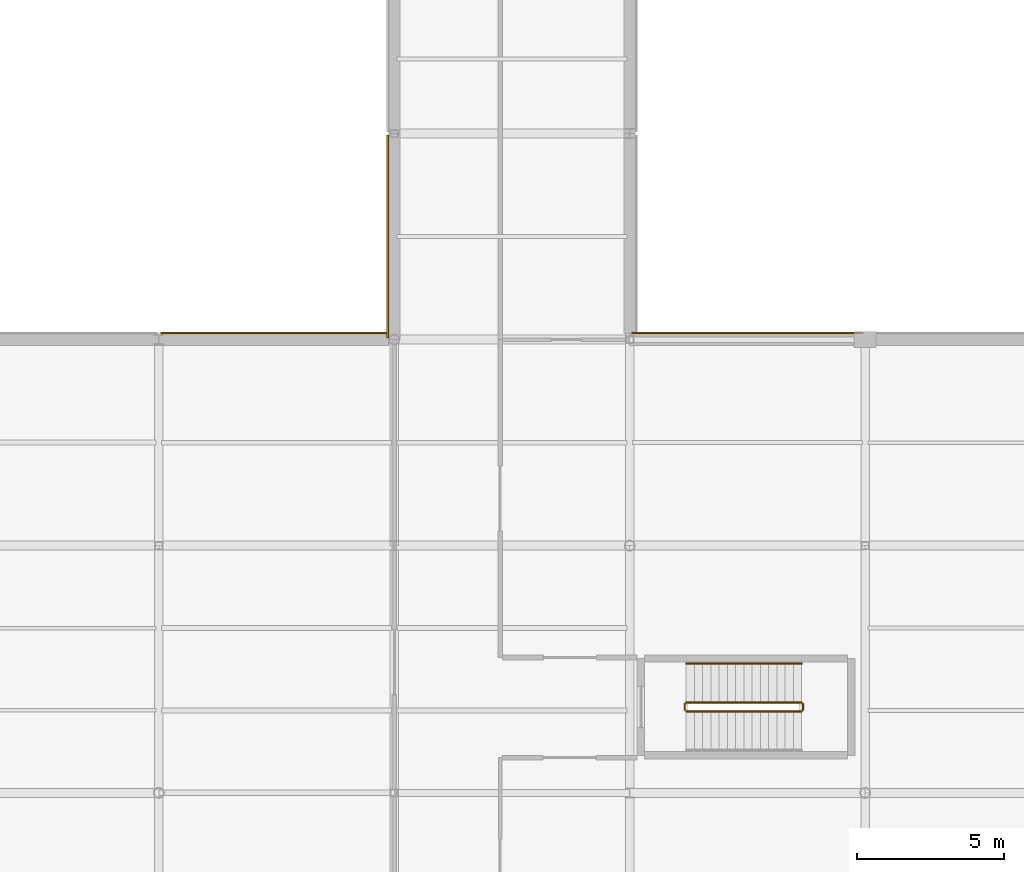
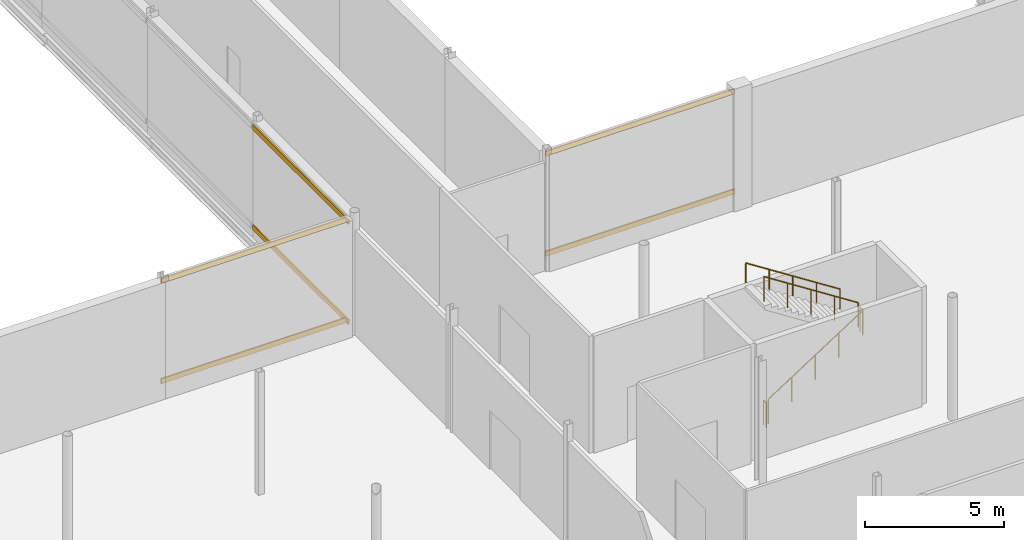
# One storey, part 137 of 147: 6 coverings, 5 railings.
"""IFC4 building model written with IfcOpenShell, lengths in metres."""

from ifc_helpers import new_model, si_unit, direction, frame, origin, origin_2d, place, context, subcontext, project, spatial, rectangle, circle, extrude, material, layer, layer_set, type_object, element, save


model = new_model("IFC4")

# Units and contexts
model_context = context("Model", 3, precision=1e-05, world=origin(), true_north=direction((0.0, 1.0)))
body_context = subcontext(model_context, "Body", "Model", "MODEL_VIEW")
ifc_project = project(units=[si_unit("LENGTHUNIT", "METRE"), si_unit("AREAUNIT", "SQUARE_METRE"), si_unit("VOLUMEUNIT", "CUBIC_METRE"), si_unit("PLANEANGLEUNIT", "RADIAN"), si_unit("MASSUNIT", "GRAM", prefix="KILO")], contexts=[model_context])

# Site, building, storey
site_placement = place(None, origin())
site = spatial("IfcSite", under=ifc_project, at=site_placement, CompositionType="ELEMENT")
building_placement = place(site_placement, origin())
building = spatial("IfcBuilding", under=site, at=building_placement, Name="Vekula Escarpment Museum", CompositionType="ELEMENT")
storey_placement = place(building_placement, frame((0.0, 0.0, 7.800048828125)))
storey = spatial("IfcBuildingStorey", under=building, at=storey_placement, Name="L02", CompositionType="ELEMENT", Elevation=7.800048828125)

# Coverings
ifc_material_1 = material(Name="Polychrome limestone almasik string-course band", Category="masonry")
ifc_layer = layer(ifc_material_1, 0.06005859375)
ifc_layer_set = layer_set([ifc_layer], Name="Polychrome limestone almasik string-course band")
covering_type = type_object("IfcCoveringType", Name="COV-ALM-BAND", PredefinedType="CLADDING", material=ifc_layer_set)
for number, where, z_axis, x_axis, name in (
    (1, (52.0, 83.6259765625, 0.41015625), (0.0, 0.0, 1.0), (1.0, 0.0, 0.0), "Almasik Stone String Course L02-0372"),
    (2, (52.0, 83.6259765625, 4.81982421875), (0.0, 0.0, 1.0), (1.0, 0.0, 0.0), "Almasik Stone String Course L02-0373"),
):
    element("IfcCovering", number, at=place(storey_placement, frame(where, z_axis=z_axis, x_axis=x_axis)), inside=storey, type_object=covering_type, Name=name, PredefinedType="CLADDING", context=body_context, shape_type="SweptSolid", body=[
        extrude(rectangle(XDim=7.8798828125, YDim=0.06005859375, at=origin_2d()), origin(), (0.0, 0.0, 1.0), 0.219970703125),
    ])
for number, where, z_axis, x_axis, name in (
    (3, (39.77392578125, 86.89990234375, 0.41015625), (0.0, 0.0, 1.0), (0.0, 1.0, 0.0), "Almasik Stone String Course L02-0424"),
    (4, (39.77392578125, 86.89990234375, 4.81982421875), (0.0, 0.0, 1.0), (0.0, 1.0, 0.0), "Almasik Stone String Course L02-0425"),
):
    element("IfcCovering", number, at=place(storey_placement, frame(where, z_axis=z_axis, x_axis=x_axis)), inside=storey, type_object=covering_type, Name=name, PredefinedType="CLADDING", context=body_context, shape_type="SweptSolid", body=[
        extrude(rectangle(XDim=6.8798828125, YDim=0.06005859375, at=origin_2d()), origin(), (0.0, 0.0, 1.0), 0.219970703125),
    ])
for number, where, z_axis, x_axis, name in (
    (5, (35.89794921875, 83.6259765625, 0.41015625), (0.0, 0.0, 1.0), (1.0, 0.0, 0.0), "Almasik Stone String Course L02-0426"),
    (6, (35.89794921875, 83.6259765625, 4.81982421875), (0.0, 0.0, 1.0), (1.0, 0.0, 0.0), "Almasik Stone String Course L02-0427"),
):
    element("IfcCovering", number, at=place(storey_placement, frame(where, z_axis=z_axis, x_axis=x_axis)), inside=storey, type_object=covering_type, Name=name, PredefinedType="CLADDING", context=body_context, shape_type="SweptSolid", body=[
        extrude(rectangle(XDim=7.676025390625, YDim=0.06005859375, at=origin_2d()), origin(), (0.0, 0.0, 1.0), 0.219970703125),
    ])

# Railings
ifc_material_2 = material(Name="Painted Steel S355 stair guard", Category="steel")
railing_type_1 = type_object("IfcRailingType", Name="RL-STAIR-GUARD", PredefinedType="GUARDRAIL", material=ifc_material_2)
railing_1_placement = place(storey_placement, frame((49.919921875, 70.77001953125, 0.179931640625)))
element("IfcRailing", 7, at=railing_1_placement, inside=storey, type_object=railing_type_1, Name="L02 ST-10 stair guard 1", PredefinedType="GUARDRAIL", context=body_context, shape_type="SweptSolid", body=[
    extrude(circle(Radius=0.02392578125, at=origin_2d()), frame((0.0, 0.0, 1.076171875), z_axis=(0.841186985886, 0.0, 0.540744352514), x_axis=(0.0, 1.0, 0.0)), (0.0, 0.0, 1.0), 4.660400390625),
    extrude(circle(Radius=0.02099609375, at=origin_2d()), origin(), (0.0, 0.0, 1.0), 1.052001953125),
    extrude(circle(Radius=0.02099609375, at=origin_2d()), frame((0.97998046875, 0.0, 0.6298828125)), (0.0, 0.0, 1.0), 1.052001953125),
    extrude(circle(Radius=0.02099609375, at=origin_2d()), frame((1.9599609375, 0.0, 1.260009765625)), (0.0, 0.0, 1.0), 1.052001953125),
    extrude(circle(Radius=0.02099609375, at=origin_2d()), frame((2.940185546875, 0.0, 1.89013671875)), (0.0, 0.0, 1.0), 1.052001953125),
    extrude(circle(Radius=0.02099609375, at=origin_2d()), frame((3.920166015625, 0.0, 2.52001953125)), (0.0, 0.0, 1.0), 1.052001953125),
])
railing_2_placement = place(storey_placement, frame((53.889892578125, 70.820068359375, 2.699951171875)))
element("IfcRailing", 8, at=railing_2_placement, inside=storey, type_object=railing_type_1, Name="L02 ST-10 stair guard 2", PredefinedType="GUARDRAIL", context=body_context, shape_type="SweptSolid", body=[
    extrude(circle(Radius=0.02392578125, at=origin_2d()), frame((0.0, 0.0, 1.076171875), z_axis=(0.0, 1.0, 0.0), x_axis=(-1.0, 0.0, 0.0)), (0.0, 0.0, 1.0), 0.199951171875),
    extrude(circle(Radius=0.02099609375, at=origin_2d()), origin(), (0.0, 0.0, 1.0), 1.052001953125),
    extrude(circle(Radius=0.02099609375, at=origin_2d()), frame((0.0, 0.199951171875, 0.0)), (0.0, 0.0, 1.0), 1.052001953125),
])
railing_3_placement = place(storey_placement, frame((53.840087890625, 71.070068359375, 2.8798828125)))
element("IfcRailing", 9, at=railing_3_placement, inside=storey, type_object=railing_type_1, Name="L02 ST-10 stair guard 3", PredefinedType="GUARDRAIL", context=body_context, shape_type="SweptSolid", body=[
    extrude(circle(Radius=0.02392578125, at=origin_2d()), frame((0.0, 0.0, 1.076171875), z_axis=(-0.841186985886, 0.0, 0.540744352514), x_axis=(0.0, -1.0, 0.0)), (0.0, 0.0, 1.0), 4.660400390625),
    extrude(circle(Radius=0.02099609375, at=origin_2d()), origin(), (0.0, 0.0, 1.0), 1.052001953125),
    extrude(circle(Radius=0.02099609375, at=origin_2d()), frame((-0.97998046875, 0.0, 0.6298828125)), (0.0, 0.0, 1.0), 1.052001953125),
    extrude(circle(Radius=0.02099609375, at=origin_2d()), frame((-1.9599609375, 0.0, 1.260009765625)), (0.0, 0.0, 1.0), 1.052001953125),
    extrude(circle(Radius=0.02099609375, at=origin_2d()), frame((-2.940185546875, 0.0, 1.89013671875)), (0.0, 0.0, 1.0), 1.052001953125),
    extrude(circle(Radius=0.02099609375, at=origin_2d()), frame((-3.920166015625, 0.0, 2.52001953125)), (0.0, 0.0, 1.0), 1.052001953125),
])
railing_4_placement = place(storey_placement, frame((49.8701171875, 70.820068359375, 0.0)))
element("IfcRailing", 10, at=railing_4_placement, inside=storey, type_object=railing_type_1, Name="L02 ST-10 stair guard 4", PredefinedType="GUARDRAIL", context=body_context, shape_type="SweptSolid", body=[
    extrude(circle(Radius=0.02392578125, at=origin_2d()), frame((0.0, 0.0, 1.076171875), z_axis=(0.0, 1.0, 0.0), x_axis=(-1.0, 0.0, 0.0)), (0.0, 0.0, 1.0), 0.199951171875),
    extrude(circle(Radius=0.02099609375, at=origin_2d()), origin(), (0.0, 0.0, 1.0), 1.052001953125),
    extrude(circle(Radius=0.02099609375, at=origin_2d()), frame((0.0, 0.199951171875, 0.0)), (0.0, 0.0, 1.0), 1.052001953125),
])
ifc_material_3 = material(Name="Brushed stainless steel handrail", Category="steel")
railing_type_2 = type_object("IfcRailingType", Name="RL-STAIR-HAND", PredefinedType="HANDRAIL", material=ifc_material_3)
railing_5_placement = place(storey_placement, frame((53.840087890625, 72.389892578125, 2.8798828125)))
element("IfcRailing", 11, at=railing_5_placement, inside=storey, type_object=railing_type_2, Name="L02 ST-10 stair handrail 2", PredefinedType="HANDRAIL", context=body_context, shape_type="SweptSolid", body=[
    extrude(circle(Radius=0.02392578125, at=origin_2d()), frame((0.0, 0.0, 0.8759765625), z_axis=(-0.841186985886, 0.0, 0.540744352514), x_axis=(0.0, -1.0, 0.0)), (0.0, 0.0, 1.0), 4.660400390625),
    extrude(circle(Radius=0.02099609375, at=origin_2d()), origin(), (0.0, 0.0, 1.0), 0.851806640625),
    extrude(circle(Radius=0.02099609375, at=origin_2d()), frame((-0.97998046875, 0.0, 0.6298828125)), (0.0, 0.0, 1.0), 0.851806640625),
    extrude(circle(Radius=0.02099609375, at=origin_2d()), frame((-1.9599609375, 0.0, 1.260009765625)), (0.0, 0.0, 1.0), 0.851806640625),
    extrude(circle(Radius=0.02099609375, at=origin_2d()), frame((-2.940185546875, 0.0, 1.89013671875)), (0.0, 0.0, 1.0), 0.851806640625),
    extrude(circle(Radius=0.02099609375, at=origin_2d()), frame((-3.920166015625, 0.0, 2.52001953125)), (0.0, 0.0, 1.0), 0.851806640625),
])

save(model, "model.ifc")
